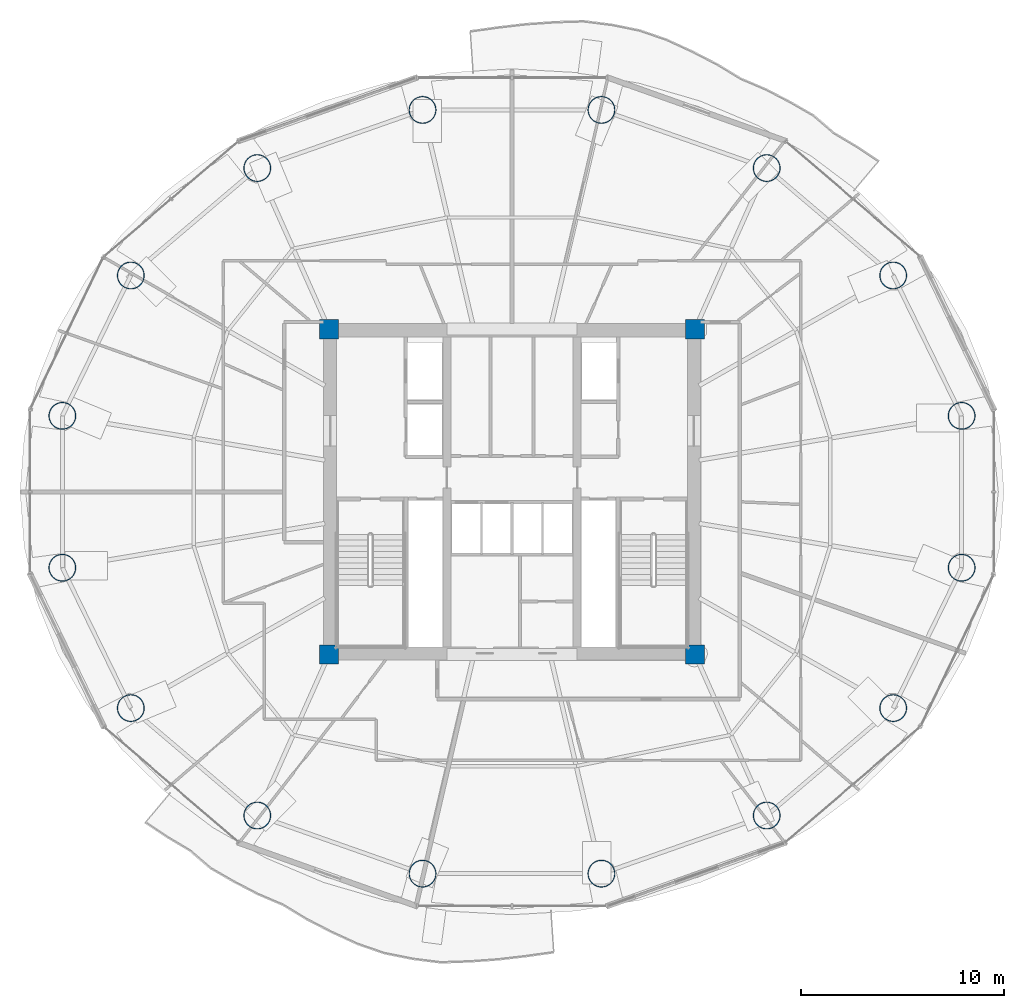
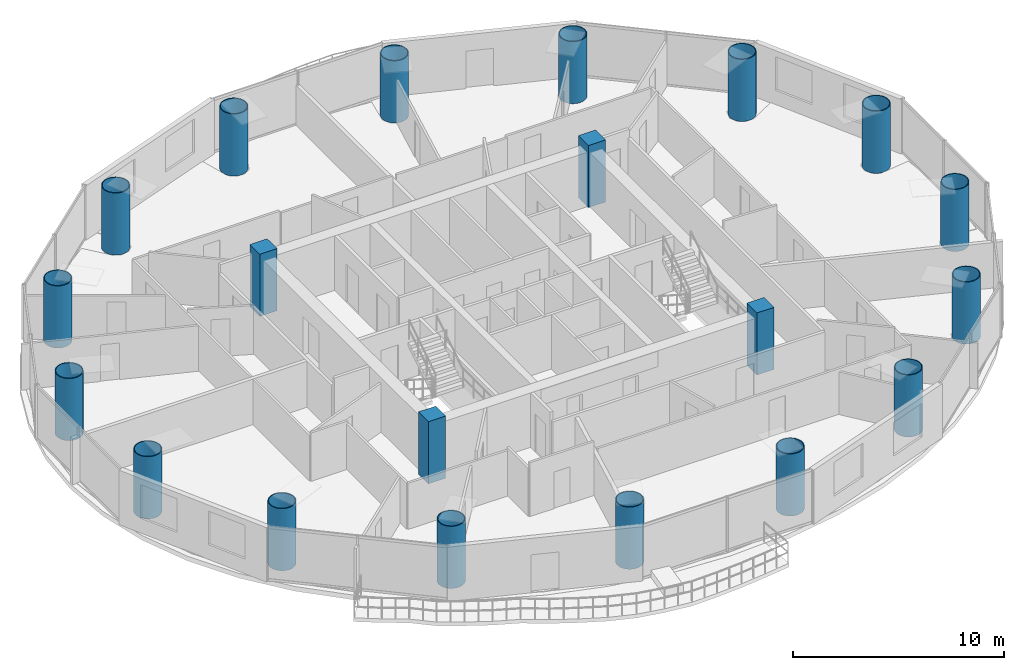
# One storey, part 1 of 26: 20 columns.
"""IFC4 building model written with IfcOpenShell, lengths in metres."""

from ifc_helpers import new_model, si_unit, direction, frame, origin, origin_2d, place, context, subcontext, project, spatial, rectangle, hollow_circle, extrude, material, material_profile, profile_set, type_object, element, save


model = new_model("IFC4")

# Units and contexts
model_context = context("Model", 3, precision=1e-05, world=origin(), true_north=direction((-0.2419218956, 0.970295726276)))
body_context = subcontext(model_context, "Body", "Model", "MODEL_VIEW")
ifc_project = project(units=[si_unit("LENGTHUNIT", "METRE"), si_unit("AREAUNIT", "SQUARE_METRE"), si_unit("VOLUMEUNIT", "CUBIC_METRE"), si_unit("PLANEANGLEUNIT", "RADIAN"), si_unit("MASSUNIT", "GRAM", prefix="KILO")], contexts=[model_context])

# Site, building, storey
site_placement = place(None, origin())
site = spatial("IfcSite", under=ifc_project, at=site_placement, CompositionType="ELEMENT")
building_placement = place(site_placement, origin())
building = spatial("IfcBuilding", under=site, at=building_placement, Name="Cobrevalo Terracotta Tower", CompositionType="ELEMENT")
storey_placement = place(building_placement, frame((0.0, 0.0, 182.199951171875)))
storey = spatial("IfcBuildingStorey", under=building, at=storey_placement, Name="L48", CompositionType="ELEMENT", Elevation=182.199951171875)

# Columns
ifc_material_1 = material(Name="Steel S355", Category="steel")
ifc_material_profile_1 = material_profile(ifc_material_1, hollow_circle(Radius=0.675048828125, WallThickness=0.0419921875, at=origin_2d()), Name="CHS 1350x42")
ifc_profile_set_1 = profile_set([ifc_material_profile_1], Name="Steel S355")
column_type_1 = type_object("IfcColumnType", Name="Structural Column CHS 1350x42 (Steel S355)", PredefinedType="COLUMN", material=ifc_profile_set_1)
for number, where, z_axis, x_axis, name in (
    (1, (60.11669921875, 30.535888671875, 0.0), (0.0, 0.0, 1.0), (1.0, 0.0, 0.0), "L48 composite megacolumn MC01"),
    (2, (56.749755859375, 37.439208984375, 0.0), (0.0, 0.0, 1.0), (1.0, 0.0, 0.0), "L48 composite megacolumn MC02"),
    (3, (50.528076171875, 42.72265625, 0.0), (0.0, 0.0, 1.0), (1.0, 0.0, 0.0), "L48 composite megacolumn MC03"),
    (4, (42.399169921875, 45.58203125, 0.0), (0.0, 0.0, 1.0), (1.0, 0.0, 0.0), "L48 composite megacolumn MC04"),
    (5, (33.600830078125, 45.58203125, 0.0), (0.0, 0.0, 1.0), (1.0, 0.0, 0.0), "L48 composite megacolumn MC05"),
    (6, (25.471923828125, 42.72265625, 0.0), (0.0, 0.0, 1.0), (1.0, 0.0, 0.0), "L48 composite megacolumn MC06"),
    (7, (19.250244140625, 37.439208984375, 0.0), (0.0, 0.0, 1.0), (1.0, 0.0, 0.0), "L48 composite megacolumn MC07"),
    (8, (15.88330078125, 30.535888671875, 0.0), (0.0, 0.0, 1.0), (1.0, 0.0, 0.0), "L48 composite megacolumn MC08"),
    (9, (15.88330078125, 23.06396484375, 0.0), (0.0, 0.0, 1.0), (1.0, 0.0, 0.0), "L48 composite megacolumn MC09"),
    (10, (19.250244140625, 16.160888671875, 0.0), (0.0, 0.0, 1.0), (1.0, 0.0, 0.0), "L48 composite megacolumn MC10"),
    (11, (25.471923828125, 10.87744140625, 0.0), (0.0, 0.0, 1.0), (1.0, 0.0, 0.0), "L48 composite megacolumn MC11"),
    (12, (33.600830078125, 8.01806640625, 0.0), (0.0, 0.0, 1.0), (1.0, 0.0, 0.0), "L48 composite megacolumn MC12"),
    (13, (42.399169921875, 8.01806640625, 0.0), (0.0, 0.0, 1.0), (1.0, 0.0, 0.0), "L48 composite megacolumn MC13"),
    (14, (50.528076171875, 10.87744140625, 0.0), (0.0, 0.0, 1.0), (1.0, 0.0, 0.0), "L48 composite megacolumn MC14"),
    (15, (56.749755859375, 16.160888671875, 0.0), (0.0, 0.0, 1.0), (1.0, 0.0, 0.0), "L48 composite megacolumn MC15"),
    (16, (60.11669921875, 23.06396484375, 0.0), (0.0, 0.0, 1.0), (1.0, 0.0, 0.0), "L48 composite megacolumn MC16"),
):
    element("IfcColumn", number, at=place(storey_placement, frame(where, z_axis=z_axis, x_axis=x_axis)), inside=storey, type_object=column_type_1, Name=name, PredefinedType="COLUMN", context=body_context, shape_type="SweptSolid", body=[
        extrude(hollow_circle(Radius=0.675048828125, WallThickness=0.0419921875, at=origin_2d()), origin(), (0.0, 0.0, 1.0), 3.60009765625),
    ])
ifc_material_2 = material(Name="Concrete C55", Category="concrete")
ifc_material_profile_2 = material_profile(ifc_material_2, rectangle(XDim=0.949951171875, YDim=0.949951171875, at=origin_2d()), Name="RC COL 950x950")
ifc_profile_set_2 = profile_set([ifc_material_profile_2], Name="Concrete C55")
column_type_2 = type_object("IfcColumnType", Name="Structural Column RC COL 950x950 (Concrete C55)", PredefinedType="COLUMN", material=ifc_profile_set_2)
for number, where, z_axis, x_axis, name in (
    (17, (29.0, 18.800048828125, 0.0), (0.0, 0.0, 1.0), (1.0, 0.0, 0.0), "L48 core corner column CC1"),
    (18, (47.0, 18.800048828125, 0.0), (0.0, 0.0, 1.0), (1.0, 0.0, 0.0), "L48 core corner column CC2"),
    (19, (47.0, 34.800048828125, 0.0), (0.0, 0.0, 1.0), (1.0, 0.0, 0.0), "L48 core corner column CC3"),
    (20, (29.0, 34.800048828125, 0.0), (0.0, 0.0, 1.0), (1.0, 0.0, 0.0), "L48 core corner column CC4"),
):
    element("IfcColumn", number, at=place(storey_placement, frame(where, z_axis=z_axis, x_axis=x_axis)), inside=storey, type_object=column_type_2, Name=name, PredefinedType="COLUMN", context=body_context, shape_type="SweptSolid", body=[
        extrude(rectangle(XDim=0.949951171875, YDim=0.949951171875, at=origin_2d()), origin(), (0.0, 0.0, 1.0), 3.60009765625),
    ])

save(model, "model.ifc")
